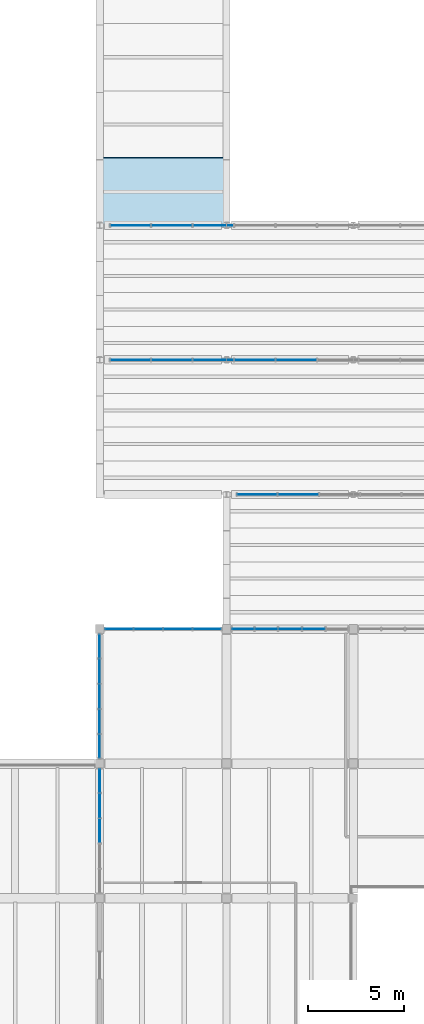
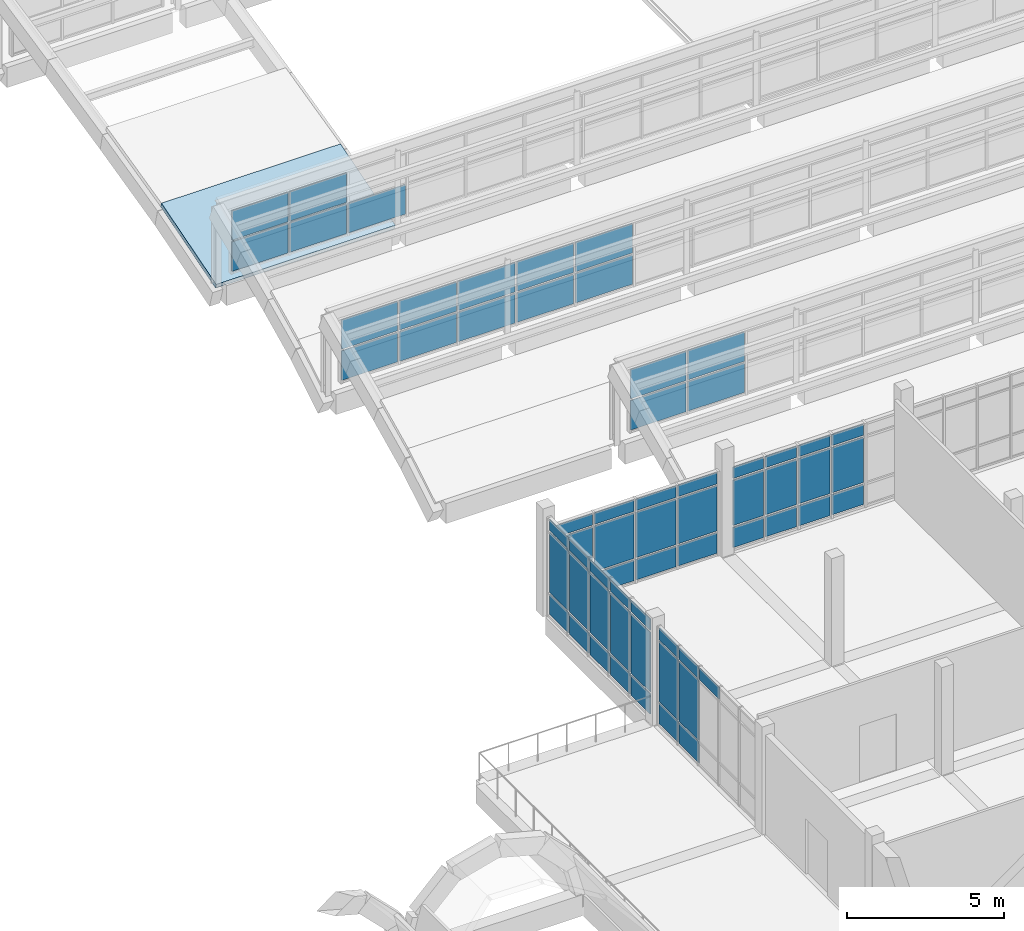
# One storey, part 65 of 92: 65 plates, 1 slab, 8 elements without a shape of their own.
"""IFC4 building model written with IfcOpenShell, lengths in metres."""

from ifc_helpers import new_model, si_unit, direction, frame, origin, origin_2d, place, context, subcontext, project, spatial, polyline, rectangle, outline, extrude, material, layer, layer_set, type_object, element, aggregate, save


model = new_model("IFC4")

# Units and contexts
model_context = context("Model", 3, precision=1e-05, world=origin(), true_north=direction((0.0, 1.0)))
body_context = subcontext(model_context, "Body", "Model", "MODEL_VIEW")
ifc_project = project(units=[si_unit("LENGTHUNIT", "METRE"), si_unit("AREAUNIT", "SQUARE_METRE"), si_unit("VOLUMEUNIT", "CUBIC_METRE"), si_unit("PLANEANGLEUNIT", "RADIAN"), si_unit("MASSUNIT", "GRAM", prefix="KILO")], contexts=[model_context])

# Site, building, storey
site_placement = place(None, origin())
site = spatial("IfcSite", under=ifc_project, at=site_placement, CompositionType="ELEMENT")
building_placement = place(site_placement, origin())
building = spatial("IfcBuilding", under=site, at=building_placement, Name="Ciguamira Faculty of Natural Sciences", CompositionType="ELEMENT")
storey_placement = place(building_placement, frame((0.0, 0.0, 16.800048828125)))
storey = spatial("IfcBuildingStorey", under=building, at=storey_placement, Name="L04", CompositionType="ELEMENT", Elevation=16.800048828125)

# Curtain wall, plates
ifc_material_1 = material(Name="Anodized aluminium curtain wall", Category="aluminium")
curtain_wall_type_1 = type_object("IfcCurtainWallType", Name="CurtainWall_CW-05", PredefinedType="USERDEFINED", material=ifc_material_1)
curtain_wall_1_placement = place(storey_placement, origin())
curtain_wall_1 = element("IfcCurtainWall", 1, at=curtain_wall_1_placement, inside=storey, type_object=curtain_wall_type_1, Name="L04 unitised curtain wall 0113", ObjectType="UNITISED CURTAIN WALL", PredefinedType="USERDEFINED")
ifc_material_2 = material(Name="Low-E laminated solar glass", Category="glass")
ifc_layer_1 = layer(ifc_material_2, 0.028076171875, Name="Low-E laminated solar glass")
ifc_layer_set_1 = layer_set([ifc_layer_1], Name="Low-E laminated solar glass")
plate_type_1 = type_object("IfcPlateType", Name="CWPanel_CWP-01", PredefinedType="CURTAIN_PANEL", material=ifc_layer_set_1)
plate_1_placement = place(storey_placement, frame((58.311279296875, 38.0, 0.070068359375), z_axis=(0.0, 0.0, 1.0), x_axis=(1.0, 0.0, 0.0)))
plate_1 = element("IfcPlate", 2, at=plate_1_placement, type_object=plate_type_1, Name="CW-05 panel 1.1", PredefinedType="CURTAIN_PANEL", context=body_context, shape_type="SweptSolid", body=[
    extrude(rectangle(XDim=1.4326171875, YDim=0.028076171875, at=origin_2d()), origin(), (0.0, 0.0, 1.0), 0.794921875),
])
plate_2_placement = place(storey_placement, frame((58.311279296875, 38.0, 0.93505859375), z_axis=(0.0, 0.0, 1.0), x_axis=(1.0, 0.0, 0.0)))
plate_2 = element("IfcPlate", 3, at=plate_2_placement, type_object=plate_type_1, Name="CW-05 panel 1.2", PredefinedType="CURTAIN_PANEL", context=body_context, shape_type="SweptSolid", body=[
    extrude(rectangle(XDim=1.4326171875, YDim=0.028076171875, at=origin_2d()), origin(), (0.0, 0.0, 1.0), 1.764892578125),
])
plate_3_placement = place(storey_placement, frame((58.311279296875, 38.0, 2.77001953125), z_axis=(0.0, 0.0, 1.0), x_axis=(1.0, 0.0, 0.0)))
plate_3 = element("IfcPlate", 4, at=plate_3_placement, type_object=plate_type_1, Name="CW-05 panel 1.3", PredefinedType="CURTAIN_PANEL", context=body_context, shape_type="SweptSolid", body=[
    extrude(rectangle(XDim=1.4326171875, YDim=0.028076171875, at=origin_2d()), origin(), (0.0, 0.0, 1.0), 0.445068359375),
])
plate_4_placement = place(storey_placement, frame((59.831298828125, 38.0, 0.070068359375), z_axis=(0.0, 0.0, 1.0), x_axis=(1.0, 0.0, 0.0)))
plate_4 = element("IfcPlate", 5, at=plate_4_placement, type_object=plate_type_1, Name="CW-05 panel 2.1", PredefinedType="CURTAIN_PANEL", context=body_context, shape_type="SweptSolid", body=[
    extrude(rectangle(XDim=1.467529296875, YDim=0.028076171875, at=origin_2d()), origin(), (0.0, 0.0, 1.0), 0.794921875),
])
plate_5_placement = place(storey_placement, frame((59.831298828125, 38.0, 0.93505859375), z_axis=(0.0, 0.0, 1.0), x_axis=(1.0, 0.0, 0.0)))
plate_5 = element("IfcPlate", 6, at=plate_5_placement, type_object=plate_type_1, Name="CW-05 panel 2.2", PredefinedType="CURTAIN_PANEL", context=body_context, shape_type="SweptSolid", body=[
    extrude(rectangle(XDim=1.467529296875, YDim=0.028076171875, at=origin_2d()), origin(), (0.0, 0.0, 1.0), 1.764892578125),
])
plate_6_placement = place(storey_placement, frame((59.831298828125, 38.0, 2.77001953125), z_axis=(0.0, 0.0, 1.0), x_axis=(1.0, 0.0, 0.0)))
plate_6 = element("IfcPlate", 7, at=plate_6_placement, type_object=plate_type_1, Name="CW-05 panel 2.3", PredefinedType="CURTAIN_PANEL", context=body_context, shape_type="SweptSolid", body=[
    extrude(rectangle(XDim=1.467529296875, YDim=0.028076171875, at=origin_2d()), origin(), (0.0, 0.0, 1.0), 0.445068359375),
])
plate_7_placement = place(storey_placement, frame((61.36865234375, 38.0, 0.070068359375), z_axis=(0.0, 0.0, 1.0), x_axis=(1.0, 0.0, 0.0)))
plate_7 = element("IfcPlate", 8, at=plate_7_placement, type_object=plate_type_1, Name="CW-05 panel 3.1", PredefinedType="CURTAIN_PANEL", context=body_context, shape_type="SweptSolid", body=[
    extrude(rectangle(XDim=1.467529296875, YDim=0.028076171875, at=origin_2d()), origin(), (0.0, 0.0, 1.0), 0.794921875),
])
plate_8_placement = place(storey_placement, frame((61.36865234375, 38.0, 0.93505859375), z_axis=(0.0, 0.0, 1.0), x_axis=(1.0, 0.0, 0.0)))
plate_8 = element("IfcPlate", 9, at=plate_8_placement, type_object=plate_type_1, Name="CW-05 panel 3.2", PredefinedType="CURTAIN_PANEL", context=body_context, shape_type="SweptSolid", body=[
    extrude(rectangle(XDim=1.467529296875, YDim=0.028076171875, at=origin_2d()), origin(), (0.0, 0.0, 1.0), 1.764892578125),
])
plate_9_placement = place(storey_placement, frame((61.36865234375, 38.0, 2.77001953125), z_axis=(0.0, 0.0, 1.0), x_axis=(1.0, 0.0, 0.0)))
plate_9 = element("IfcPlate", 10, at=plate_9_placement, type_object=plate_type_1, Name="CW-05 panel 3.3", PredefinedType="CURTAIN_PANEL", context=body_context, shape_type="SweptSolid", body=[
    extrude(rectangle(XDim=1.467529296875, YDim=0.028076171875, at=origin_2d()), origin(), (0.0, 0.0, 1.0), 0.445068359375),
])
plate_10_placement = place(storey_placement, frame((62.888671875, 38.0, 0.070068359375), z_axis=(0.0, 0.0, 1.0), x_axis=(1.0, 0.0, 0.0)))
plate_10 = element("IfcPlate", 11, at=plate_10_placement, type_object=plate_type_1, Name="CW-05 panel 4.1", PredefinedType="CURTAIN_PANEL", context=body_context, shape_type="SweptSolid", body=[
    extrude(rectangle(XDim=1.4326171875, YDim=0.028076171875, at=origin_2d()), origin(), (0.0, 0.0, 1.0), 0.794921875),
])
plate_11_placement = place(storey_placement, frame((62.888671875, 38.0, 0.93505859375), z_axis=(0.0, 0.0, 1.0), x_axis=(1.0, 0.0, 0.0)))
plate_11 = element("IfcPlate", 12, at=plate_11_placement, type_object=plate_type_1, Name="CW-05 panel 4.2", PredefinedType="CURTAIN_PANEL", context=body_context, shape_type="SweptSolid", body=[
    extrude(rectangle(XDim=1.4326171875, YDim=0.028076171875, at=origin_2d()), origin(), (0.0, 0.0, 1.0), 1.764892578125),
])
plate_12_placement = place(storey_placement, frame((62.888671875, 38.0, 2.77001953125), z_axis=(0.0, 0.0, 1.0), x_axis=(1.0, 0.0, 0.0)))
plate_12 = element("IfcPlate", 13, at=plate_12_placement, type_object=plate_type_1, Name="CW-05 panel 4.3", PredefinedType="CURTAIN_PANEL", context=body_context, shape_type="SweptSolid", body=[
    extrude(rectangle(XDim=1.4326171875, YDim=0.028076171875, at=origin_2d()), origin(), (0.0, 0.0, 1.0), 0.445068359375),
])
aggregate(curtain_wall_1, [plate_1, plate_2, plate_3, plate_4, plate_5, plate_6, plate_7, plate_8, plate_9, plate_10, plate_11, plate_12])

curtain_wall_type_2 = type_object("IfcCurtainWallType", Name="CurtainWall_CW-11", PredefinedType="USERDEFINED", material=ifc_material_1)
curtain_wall_2_placement = place(storey_placement, origin())
curtain_wall_2 = element("IfcCurtainWall", 14, at=curtain_wall_2_placement, inside=storey, type_object=curtain_wall_type_2, Name="L04 unitised curtain wall 0131", ObjectType="UNITISED CURTAIN WALL", PredefinedType="USERDEFINED")
plate_13_placement = place(storey_placement, frame((57.300048828125, 31.8974609375, 0.070068359375), z_axis=(0.0, 0.0, 1.0), x_axis=(0.0, 1.0, 0.0)))
plate_13 = element("IfcPlate", 15, at=plate_13_placement, type_object=plate_type_1, Name="CW-11 panel 1.1", PredefinedType="CURTAIN_PANEL", context=body_context, shape_type="SweptSolid", body=[
    extrude(rectangle(XDim=1.205078125, YDim=0.028076171875, at=origin_2d()), origin(), (0.0, 0.0, 1.0), 0.794921875),
])
plate_14_placement = place(storey_placement, frame((57.300048828125, 31.8974609375, 0.934814453125), z_axis=(0.0, 0.0, 1.0), x_axis=(0.0, 1.0, 0.0)))
plate_14 = element("IfcPlate", 16, at=plate_14_placement, type_object=plate_type_1, Name="CW-11 panel 1.2", PredefinedType="CURTAIN_PANEL", context=body_context, shape_type="SweptSolid", body=[
    extrude(rectangle(XDim=1.205078125, YDim=0.028076171875, at=origin_2d()), origin(), (0.0, 0.0, 1.0), 2.330078125),
])
plate_15_placement = place(storey_placement, frame((57.300048828125, 31.8974609375, 3.3349609375), z_axis=(0.0, 0.0, 1.0), x_axis=(0.0, 1.0, 0.0)))
plate_15 = element("IfcPlate", 17, at=plate_15_placement, type_object=plate_type_1, Name="CW-11 panel 1.3", PredefinedType="CURTAIN_PANEL", context=body_context, shape_type="SweptSolid", body=[
    extrude(rectangle(XDim=1.205078125, YDim=0.028076171875, at=origin_2d()), origin(), (0.0, 0.0, 1.0), 0.445068359375),
])
plate_16_placement = place(storey_placement, frame((57.300048828125, 33.18994140625, 0.070068359375), z_axis=(0.0, 0.0, 1.0), x_axis=(0.0, 1.0, 0.0)))
plate_16 = element("IfcPlate", 18, at=plate_16_placement, type_object=plate_type_1, Name="CW-11 panel 2.1", PredefinedType="CURTAIN_PANEL", context=body_context, shape_type="SweptSolid", body=[
    extrude(rectangle(XDim=1.239990234375, YDim=0.028076171875, at=origin_2d()), origin(), (0.0, 0.0, 1.0), 0.794921875),
])
plate_17_placement = place(storey_placement, frame((57.300048828125, 33.18994140625, 0.934814453125), z_axis=(0.0, 0.0, 1.0), x_axis=(0.0, 1.0, 0.0)))
plate_17 = element("IfcPlate", 19, at=plate_17_placement, type_object=plate_type_1, Name="CW-11 panel 2.2", PredefinedType="CURTAIN_PANEL", context=body_context, shape_type="SweptSolid", body=[
    extrude(rectangle(XDim=1.239990234375, YDim=0.028076171875, at=origin_2d()), origin(), (0.0, 0.0, 1.0), 2.330078125),
])
plate_18_placement = place(storey_placement, frame((57.300048828125, 33.18994140625, 3.3349609375), z_axis=(0.0, 0.0, 1.0), x_axis=(0.0, 1.0, 0.0)))
plate_18 = element("IfcPlate", 20, at=plate_18_placement, type_object=plate_type_1, Name="CW-11 panel 2.3", PredefinedType="CURTAIN_PANEL", context=body_context, shape_type="SweptSolid", body=[
    extrude(rectangle(XDim=1.239990234375, YDim=0.028076171875, at=origin_2d()), origin(), (0.0, 0.0, 1.0), 0.445068359375),
])
plate_19_placement = place(storey_placement, frame((57.300048828125, 34.5, 0.070068359375), z_axis=(0.0, 0.0, 1.0), x_axis=(0.0, 1.0, 0.0)))
plate_19 = element("IfcPlate", 21, at=plate_19_placement, type_object=plate_type_1, Name="CW-11 panel 3.1", PredefinedType="CURTAIN_PANEL", context=body_context, shape_type="SweptSolid", body=[
    extrude(rectangle(XDim=1.239990234375, YDim=0.028076171875, at=origin_2d()), origin(), (0.0, 0.0, 1.0), 0.794921875),
])
plate_20_placement = place(storey_placement, frame((57.300048828125, 34.5, 0.934814453125), z_axis=(0.0, 0.0, 1.0), x_axis=(0.0, 1.0, 0.0)))
plate_20 = element("IfcPlate", 22, at=plate_20_placement, type_object=plate_type_1, Name="CW-11 panel 3.2", PredefinedType="CURTAIN_PANEL", context=body_context, shape_type="SweptSolid", body=[
    extrude(rectangle(XDim=1.239990234375, YDim=0.028076171875, at=origin_2d()), origin(), (0.0, 0.0, 1.0), 2.330078125),
])
plate_21_placement = place(storey_placement, frame((57.300048828125, 34.5, 3.3349609375), z_axis=(0.0, 0.0, 1.0), x_axis=(0.0, 1.0, 0.0)))
plate_21 = element("IfcPlate", 23, at=plate_21_placement, type_object=plate_type_1, Name="CW-11 panel 3.3", PredefinedType="CURTAIN_PANEL", context=body_context, shape_type="SweptSolid", body=[
    extrude(rectangle(XDim=1.239990234375, YDim=0.028076171875, at=origin_2d()), origin(), (0.0, 0.0, 1.0), 0.445068359375),
])
plate_22_placement = place(storey_placement, frame((57.300048828125, 35.81005859375, 0.070068359375), z_axis=(0.0, 0.0, 1.0), x_axis=(0.0, 1.0, 0.0)))
plate_22 = element("IfcPlate", 24, at=plate_22_placement, type_object=plate_type_1, Name="CW-11 panel 4.1", PredefinedType="CURTAIN_PANEL", context=body_context, shape_type="SweptSolid", body=[
    extrude(rectangle(XDim=1.239990234375, YDim=0.028076171875, at=origin_2d()), origin(), (0.0, 0.0, 1.0), 0.794921875),
])
plate_23_placement = place(storey_placement, frame((57.300048828125, 35.81005859375, 0.934814453125), z_axis=(0.0, 0.0, 1.0), x_axis=(0.0, 1.0, 0.0)))
plate_23 = element("IfcPlate", 25, at=plate_23_placement, type_object=plate_type_1, Name="CW-11 panel 4.2", PredefinedType="CURTAIN_PANEL", context=body_context, shape_type="SweptSolid", body=[
    extrude(rectangle(XDim=1.239990234375, YDim=0.028076171875, at=origin_2d()), origin(), (0.0, 0.0, 1.0), 2.330078125),
])
plate_24_placement = place(storey_placement, frame((57.300048828125, 35.81005859375, 3.3349609375), z_axis=(0.0, 0.0, 1.0), x_axis=(0.0, 1.0, 0.0)))
plate_24 = element("IfcPlate", 26, at=plate_24_placement, type_object=plate_type_1, Name="CW-11 panel 4.3", PredefinedType="CURTAIN_PANEL", context=body_context, shape_type="SweptSolid", body=[
    extrude(rectangle(XDim=1.239990234375, YDim=0.028076171875, at=origin_2d()), origin(), (0.0, 0.0, 1.0), 0.445068359375),
])
plate_25_placement = place(storey_placement, frame((57.300048828125, 37.1025390625, 0.070068359375), z_axis=(0.0, 0.0, 1.0), x_axis=(0.0, 1.0, 0.0)))
plate_25 = element("IfcPlate", 27, at=plate_25_placement, type_object=plate_type_1, Name="CW-11 panel 5.1", PredefinedType="CURTAIN_PANEL", context=body_context, shape_type="SweptSolid", body=[
    extrude(rectangle(XDim=1.205078125, YDim=0.028076171875, at=origin_2d()), origin(), (0.0, 0.0, 1.0), 0.794921875),
])
plate_26_placement = place(storey_placement, frame((57.300048828125, 37.1025390625, 0.934814453125), z_axis=(0.0, 0.0, 1.0), x_axis=(0.0, 1.0, 0.0)))
plate_26 = element("IfcPlate", 28, at=plate_26_placement, type_object=plate_type_1, Name="CW-11 panel 5.2", PredefinedType="CURTAIN_PANEL", context=body_context, shape_type="SweptSolid", body=[
    extrude(rectangle(XDim=1.205078125, YDim=0.028076171875, at=origin_2d()), origin(), (0.0, 0.0, 1.0), 2.330078125),
])
plate_27_placement = place(storey_placement, frame((57.300048828125, 37.1025390625, 3.3349609375), z_axis=(0.0, 0.0, 1.0), x_axis=(0.0, 1.0, 0.0)))
plate_27 = element("IfcPlate", 29, at=plate_27_placement, type_object=plate_type_1, Name="CW-11 panel 5.3", PredefinedType="CURTAIN_PANEL", context=body_context, shape_type="SweptSolid", body=[
    extrude(rectangle(XDim=1.205078125, YDim=0.028076171875, at=origin_2d()), origin(), (0.0, 0.0, 1.0), 0.445068359375),
])
aggregate(curtain_wall_2, [plate_13, plate_14, plate_15, plate_16, plate_17, plate_18, plate_19, plate_20, plate_21, plate_22, plate_23, plate_24, plate_25, plate_26, plate_27])

curtain_wall_type_3 = type_object("IfcCurtainWallType", Name="CurtainWall_CW-06", PredefinedType="USERDEFINED", material=ifc_material_1)
curtain_wall_3_placement = place(storey_placement, origin())
curtain_wall_3 = element("IfcCurtainWall", 30, at=curtain_wall_3_placement, inside=storey, type_object=curtain_wall_type_3, Name="L04 unitised curtain wall 0114", ObjectType="UNITISED CURTAIN WALL", PredefinedType="USERDEFINED")
ifc_layer_2 = layer(ifc_material_2, 0.035888671875, Name="Low-E laminated solar glass")
ifc_layer_set_2 = layer_set([ifc_layer_2], Name="Low-E laminated solar glass")
plate_type_2 = type_object("IfcPlateType", Name="CWPanel_CWP-02", PredefinedType="CURTAIN_PANEL", material=ifc_layer_set_2)
plate_28_placement = place(storey_placement, frame((64.760009765625, 38.0, 0.080078125), z_axis=(0.0, 0.0, 1.0), x_axis=(1.0, 0.0, 0.0)))
plate_28 = element("IfcPlate", 31, at=plate_28_placement, type_object=plate_type_2, Name="CW-06 panel 1.1", PredefinedType="CURTAIN_PANEL", context=body_context, shape_type="SweptSolid", body=[
    extrude(rectangle(XDim=1.110107421875, YDim=0.035888671875, at=origin_2d()), origin(), (0.0, 0.0, 1.0), 0.780029296875),
])
plate_29_placement = place(storey_placement, frame((64.760009765625, 38.0, 0.93994140625), z_axis=(0.0, 0.0, 1.0), x_axis=(1.0, 0.0, 0.0)))
plate_29 = element("IfcPlate", 32, at=plate_29_placement, type_object=plate_type_2, Name="CW-06 panel 1.2", PredefinedType="CURTAIN_PANEL", context=body_context, shape_type="SweptSolid", body=[
    extrude(rectangle(XDim=1.110107421875, YDim=0.035888671875, at=origin_2d()), origin(), (0.0, 0.0, 1.0), 1.7548828125),
])
plate_30_placement = place(storey_placement, frame((64.760009765625, 38.0, 2.77490234375), z_axis=(0.0, 0.0, 1.0), x_axis=(1.0, 0.0, 0.0)))
plate_30 = element("IfcPlate", 33, at=plate_30_placement, type_object=plate_type_2, Name="CW-06 panel 1.3", PredefinedType="CURTAIN_PANEL", context=body_context, shape_type="SweptSolid", body=[
    extrude(rectangle(XDim=1.110107421875, YDim=0.035888671875, at=origin_2d()), origin(), (0.0, 0.0, 1.0), 0.429931640625),
])
plate_31_placement = place(storey_placement, frame((65.969970703125, 38.0, 0.080078125), z_axis=(0.0, 0.0, 1.0), x_axis=(1.0, 0.0, 0.0)))
plate_31 = element("IfcPlate", 34, at=plate_31_placement, type_object=plate_type_2, Name="CW-06 panel 2.1", PredefinedType="CURTAIN_PANEL", context=body_context, shape_type="SweptSolid", body=[
    extrude(rectangle(XDim=1.14990234375, YDim=0.035888671875, at=origin_2d()), origin(), (0.0, 0.0, 1.0), 0.780029296875),
])
plate_32_placement = place(storey_placement, frame((65.969970703125, 38.0, 0.93994140625), z_axis=(0.0, 0.0, 1.0), x_axis=(1.0, 0.0, 0.0)))
plate_32 = element("IfcPlate", 35, at=plate_32_placement, type_object=plate_type_2, Name="CW-06 panel 2.2", PredefinedType="CURTAIN_PANEL", context=body_context, shape_type="SweptSolid", body=[
    extrude(rectangle(XDim=1.14990234375, YDim=0.035888671875, at=origin_2d()), origin(), (0.0, 0.0, 1.0), 1.7548828125),
])
plate_33_placement = place(storey_placement, frame((65.969970703125, 38.0, 2.77490234375), z_axis=(0.0, 0.0, 1.0), x_axis=(1.0, 0.0, 0.0)))
plate_33 = element("IfcPlate", 36, at=plate_33_placement, type_object=plate_type_2, Name="CW-06 panel 2.3", PredefinedType="CURTAIN_PANEL", context=body_context, shape_type="SweptSolid", body=[
    extrude(rectangle(XDim=1.14990234375, YDim=0.035888671875, at=origin_2d()), origin(), (0.0, 0.0, 1.0), 0.429931640625),
])
plate_34_placement = place(storey_placement, frame((67.199951171875, 38.0, 0.080078125), z_axis=(0.0, 0.0, 1.0), x_axis=(1.0, 0.0, 0.0)))
plate_34 = element("IfcPlate", 37, at=plate_34_placement, type_object=plate_type_2, Name="CW-06 panel 3.1", PredefinedType="CURTAIN_PANEL", context=body_context, shape_type="SweptSolid", body=[
    extrude(rectangle(XDim=1.14990234375, YDim=0.035888671875, at=origin_2d()), origin(), (0.0, 0.0, 1.0), 0.780029296875),
])
plate_35_placement = place(storey_placement, frame((67.199951171875, 38.0, 0.93994140625), z_axis=(0.0, 0.0, 1.0), x_axis=(1.0, 0.0, 0.0)))
plate_35 = element("IfcPlate", 38, at=plate_35_placement, type_object=plate_type_2, Name="CW-06 panel 3.2", PredefinedType="CURTAIN_PANEL", context=body_context, shape_type="SweptSolid", body=[
    extrude(rectangle(XDim=1.14990234375, YDim=0.035888671875, at=origin_2d()), origin(), (0.0, 0.0, 1.0), 1.7548828125),
])
plate_36_placement = place(storey_placement, frame((67.199951171875, 38.0, 2.77490234375), z_axis=(0.0, 0.0, 1.0), x_axis=(1.0, 0.0, 0.0)))
plate_36 = element("IfcPlate", 39, at=plate_36_placement, type_object=plate_type_2, Name="CW-06 panel 3.3", PredefinedType="CURTAIN_PANEL", context=body_context, shape_type="SweptSolid", body=[
    extrude(rectangle(XDim=1.14990234375, YDim=0.035888671875, at=origin_2d()), origin(), (0.0, 0.0, 1.0), 0.429931640625),
])
plate_37_placement = place(storey_placement, frame((68.429931640625, 38.0, 0.080078125), z_axis=(0.0, 0.0, 1.0), x_axis=(1.0, 0.0, 0.0)))
plate_37 = element("IfcPlate", 40, at=plate_37_placement, type_object=plate_type_2, Name="CW-06 panel 4.1", PredefinedType="CURTAIN_PANEL", context=body_context, shape_type="SweptSolid", body=[
    extrude(rectangle(XDim=1.14990234375, YDim=0.035888671875, at=origin_2d()), origin(), (0.0, 0.0, 1.0), 0.780029296875),
])
plate_38_placement = place(storey_placement, frame((68.429931640625, 38.0, 0.93994140625), z_axis=(0.0, 0.0, 1.0), x_axis=(1.0, 0.0, 0.0)))
plate_38 = element("IfcPlate", 41, at=plate_38_placement, type_object=plate_type_2, Name="CW-06 panel 4.2", PredefinedType="CURTAIN_PANEL", context=body_context, shape_type="SweptSolid", body=[
    extrude(rectangle(XDim=1.14990234375, YDim=0.035888671875, at=origin_2d()), origin(), (0.0, 0.0, 1.0), 1.7548828125),
])
plate_39_placement = place(storey_placement, frame((68.429931640625, 38.0, 2.77490234375), z_axis=(0.0, 0.0, 1.0), x_axis=(1.0, 0.0, 0.0)))
plate_39 = element("IfcPlate", 42, at=plate_39_placement, type_object=plate_type_2, Name="CW-06 panel 4.3", PredefinedType="CURTAIN_PANEL", context=body_context, shape_type="SweptSolid", body=[
    extrude(rectangle(XDim=1.14990234375, YDim=0.035888671875, at=origin_2d()), origin(), (0.0, 0.0, 1.0), 0.429931640625),
])
aggregate(curtain_wall_3, [plate_28, plate_29, plate_30, plate_31, plate_32, plate_33, plate_34, plate_35, plate_36, plate_37, plate_38, plate_39])

curtain_wall_type_4 = type_object("IfcCurtainWallType", Name="CurtainWall_CW-10", PredefinedType="USERDEFINED", material=ifc_material_1)
curtain_wall_4_placement = place(storey_placement, origin())
curtain_wall_4 = element("IfcCurtainWall", 43, at=curtain_wall_4_placement, inside=storey, type_object=curtain_wall_type_4, Name="L04 unitised curtain wall 0130", ObjectType="UNITISED CURTAIN WALL", PredefinedType="USERDEFINED")
plate_40_placement = place(storey_placement, frame((57.300048828125, 27.5, 3.330078125), z_axis=(0.0, 0.0, 1.0), x_axis=(0.0, 1.0, 0.0)))
plate_40 = element("IfcPlate", 44, at=plate_40_placement, type_object=plate_type_2, Name="CW-10 panel 3.3", PredefinedType="CURTAIN_PANEL", context=body_context, shape_type="SweptSolid", body=[
    extrude(rectangle(XDim=1.25, YDim=0.035888671875, at=origin_2d()), origin(), (0.0, 0.0, 1.0), 0.4599609375),
])
plate_41_placement = place(storey_placement, frame((57.300048828125, 28.81005859375, 0.059814453125), z_axis=(0.0, 0.0, 1.0), x_axis=(0.0, 1.0, 0.0)))
plate_41 = element("IfcPlate", 45, at=plate_41_placement, type_object=plate_type_2, Name="CW-10 panel 4.1", PredefinedType="CURTAIN_PANEL", context=body_context, shape_type="SweptSolid", body=[
    extrude(rectangle(XDim=1.25, YDim=0.035888671875, at=origin_2d()), origin(), (0.0, 0.0, 1.0), 0.81005859375),
])
plate_42_placement = place(storey_placement, frame((57.300048828125, 28.81005859375, 0.9296875), z_axis=(0.0, 0.0, 1.0), x_axis=(0.0, 1.0, 0.0)))
plate_42 = element("IfcPlate", 46, at=plate_42_placement, type_object=plate_type_2, Name="CW-10 panel 4.2", PredefinedType="CURTAIN_PANEL", context=body_context, shape_type="SweptSolid", body=[
    extrude(rectangle(XDim=1.25, YDim=0.035888671875, at=origin_2d()), origin(), (0.0, 0.0, 1.0), 2.340087890625),
])
plate_43_placement = place(storey_placement, frame((57.300048828125, 28.81005859375, 3.330078125), z_axis=(0.0, 0.0, 1.0), x_axis=(0.0, 1.0, 0.0)))
plate_43 = element("IfcPlate", 47, at=plate_43_placement, type_object=plate_type_2, Name="CW-10 panel 4.3", PredefinedType="CURTAIN_PANEL", context=body_context, shape_type="SweptSolid", body=[
    extrude(rectangle(XDim=1.25, YDim=0.035888671875, at=origin_2d()), origin(), (0.0, 0.0, 1.0), 0.4599609375),
])
plate_44_placement = place(storey_placement, frame((57.300048828125, 30.10498046875, 0.059814453125), z_axis=(0.0, 0.0, 1.0), x_axis=(0.0, 1.0, 0.0)))
plate_44 = element("IfcPlate", 48, at=plate_44_placement, type_object=plate_type_2, Name="CW-10 panel 5.1", PredefinedType="CURTAIN_PANEL", context=body_context, shape_type="SweptSolid", body=[
    extrude(rectangle(XDim=1.219970703125, YDim=0.035888671875, at=origin_2d()), origin(), (0.0, 0.0, 1.0), 0.81005859375),
])
plate_45_placement = place(storey_placement, frame((57.300048828125, 30.10498046875, 0.9296875), z_axis=(0.0, 0.0, 1.0), x_axis=(0.0, 1.0, 0.0)))
plate_45 = element("IfcPlate", 49, at=plate_45_placement, type_object=plate_type_2, Name="CW-10 panel 5.2", PredefinedType="CURTAIN_PANEL", context=body_context, shape_type="SweptSolid", body=[
    extrude(rectangle(XDim=1.219970703125, YDim=0.035888671875, at=origin_2d()), origin(), (0.0, 0.0, 1.0), 2.340087890625),
])
plate_46_placement = place(storey_placement, frame((57.300048828125, 30.10498046875, 3.330078125), z_axis=(0.0, 0.0, 1.0), x_axis=(0.0, 1.0, 0.0)))
plate_46 = element("IfcPlate", 50, at=plate_46_placement, type_object=plate_type_2, Name="CW-10 panel 5.3", PredefinedType="CURTAIN_PANEL", context=body_context, shape_type="SweptSolid", body=[
    extrude(rectangle(XDim=1.219970703125, YDim=0.035888671875, at=origin_2d()), origin(), (0.0, 0.0, 1.0), 0.4599609375),
])
aggregate(curtain_wall_4, [plate_40, plate_41, plate_42, plate_43, plate_44, plate_45, plate_46])

curtain_wall_type_5 = type_object("IfcCurtainWallType", Name="CurtainWall_CW-02", PredefinedType="USERDEFINED", material=ifc_material_1)
curtain_wall_5_placement = place(storey_placement, origin())
curtain_wall_5 = element("IfcCurtainWall", 51, at=curtain_wall_5_placement, inside=storey, type_object=curtain_wall_type_5, Name="V4 north-light wave 1 clerestory glazing 1", ObjectType="UNITISED CURTAIN WALL", PredefinedType="USERDEFINED")
plate_47_placement = place(storey_placement, frame((65.49365234375, 45.0, 0.31982421875), z_axis=(0.0, 0.0, 1.0), x_axis=(1.0, 0.0, 0.0)))
plate_47 = element("IfcPlate", 52, at=plate_47_placement, type_object=plate_type_2, Name="CW-02 panel 1.1", PredefinedType="CURTAIN_PANEL", context=body_context, shape_type="SweptSolid", body=[
    extrude(rectangle(XDim=2.04736328125, YDim=0.035888671875, at=origin_2d()), origin(), (0.0, 0.0, 1.0), 1.14501953125),
])
plate_48_placement = place(storey_placement, frame((65.49365234375, 45.0, 1.534912109375), z_axis=(0.0, 0.0, 1.0), x_axis=(1.0, 0.0, 0.0)))
plate_48 = element("IfcPlate", 53, at=plate_48_placement, type_object=plate_type_2, Name="CW-02 panel 1.2", PredefinedType="CURTAIN_PANEL", context=body_context, shape_type="SweptSolid", body=[
    extrude(rectangle(XDim=2.04736328125, YDim=0.035888671875, at=origin_2d()), origin(), (0.0, 0.0, 1.0), 1.14501953125),
])
plate_49_placement = place(storey_placement, frame((67.628662109375, 45.0, 0.31982421875), z_axis=(0.0, 0.0, 1.0), x_axis=(1.0, 0.0, 0.0)))
plate_49 = element("IfcPlate", 54, at=plate_49_placement, type_object=plate_type_2, Name="CW-02 panel 2.1", PredefinedType="CURTAIN_PANEL", context=body_context, shape_type="SweptSolid", body=[
    extrude(rectangle(XDim=2.082275390625, YDim=0.035888671875, at=origin_2d()), origin(), (0.0, 0.0, 1.0), 1.14501953125),
])
plate_50_placement = place(storey_placement, frame((67.628662109375, 45.0, 1.534912109375), z_axis=(0.0, 0.0, 1.0), x_axis=(1.0, 0.0, 0.0)))
plate_50 = element("IfcPlate", 55, at=plate_50_placement, type_object=plate_type_2, Name="CW-02 panel 2.2", PredefinedType="CURTAIN_PANEL", context=body_context, shape_type="SweptSolid", body=[
    extrude(rectangle(XDim=2.082275390625, YDim=0.035888671875, at=origin_2d()), origin(), (0.0, 0.0, 1.0), 1.14501953125),
])
aggregate(curtain_wall_5, [plate_47, plate_48, plate_49, plate_50])

curtain_wall_type_6 = type_object("IfcCurtainWallType", Name="CurtainWall_CW-03", PredefinedType="USERDEFINED", material=ifc_material_1)
curtain_wall_6_placement = place(storey_placement, origin())
curtain_wall_6 = element("IfcCurtainWall", 56, at=curtain_wall_6_placement, inside=storey, type_object=curtain_wall_type_6, Name="V4 north-light wave 2 clerestory glazing 1", ObjectType="UNITISED CURTAIN WALL", PredefinedType="USERDEFINED")
plate_51_placement = place(storey_placement, frame((58.89892578125, 52.0, 0.31982421875), z_axis=(0.0, 0.0, 1.0), x_axis=(1.0, 0.0, 0.0)))
plate_51 = element("IfcPlate", 57, at=plate_51_placement, type_object=plate_type_2, Name="CW-03 panel 1.1", PredefinedType="CURTAIN_PANEL", context=body_context, shape_type="SweptSolid", body=[
    extrude(rectangle(XDim=2.057861328125, YDim=0.035888671875, at=origin_2d()), origin(), (0.0, 0.0, 1.0), 1.14501953125),
])
plate_52_placement = place(storey_placement, frame((58.89892578125, 52.0, 1.534912109375), z_axis=(0.0, 0.0, 1.0), x_axis=(1.0, 0.0, 0.0)))
plate_52 = element("IfcPlate", 58, at=plate_52_placement, type_object=plate_type_2, Name="CW-03 panel 1.2", PredefinedType="CURTAIN_PANEL", context=body_context, shape_type="SweptSolid", body=[
    extrude(rectangle(XDim=2.057861328125, YDim=0.035888671875, at=origin_2d()), origin(), (0.0, 0.0, 1.0), 1.14501953125),
])
plate_53_placement = place(storey_placement, frame((61.04443359375, 52.0, 0.31982421875), z_axis=(0.0, 0.0, 1.0), x_axis=(1.0, 0.0, 0.0)))
plate_53 = element("IfcPlate", 59, at=plate_53_placement, type_object=plate_type_2, Name="CW-03 panel 2.1", PredefinedType="CURTAIN_PANEL", context=body_context, shape_type="SweptSolid", body=[
    extrude(rectangle(XDim=2.093017578125, YDim=0.035888671875, at=origin_2d()), origin(), (0.0, 0.0, 1.0), 1.14501953125),
])
plate_54_placement = place(storey_placement, frame((61.04443359375, 52.0, 1.534912109375), z_axis=(0.0, 0.0, 1.0), x_axis=(1.0, 0.0, 0.0)))
plate_54 = element("IfcPlate", 60, at=plate_54_placement, type_object=plate_type_2, Name="CW-03 panel 2.2", PredefinedType="CURTAIN_PANEL", context=body_context, shape_type="SweptSolid", body=[
    extrude(rectangle(XDim=2.093017578125, YDim=0.035888671875, at=origin_2d()), origin(), (0.0, 0.0, 1.0), 1.14501953125),
])
plate_55_placement = place(storey_placement, frame((63.20751953125, 52.0, 0.31982421875), z_axis=(0.0, 0.0, 1.0), x_axis=(1.0, 0.0, 0.0)))
plate_55 = element("IfcPlate", 61, at=plate_55_placement, type_object=plate_type_2, Name="CW-03 panel 3.1", PredefinedType="CURTAIN_PANEL", context=body_context, shape_type="SweptSolid", body=[
    extrude(rectangle(XDim=2.093017578125, YDim=0.035888671875, at=origin_2d()), origin(), (0.0, 0.0, 1.0), 1.14501953125),
])
plate_56_placement = place(storey_placement, frame((63.20751953125, 52.0, 1.534912109375), z_axis=(0.0, 0.0, 1.0), x_axis=(1.0, 0.0, 0.0)))
plate_56 = element("IfcPlate", 62, at=plate_56_placement, type_object=plate_type_2, Name="CW-03 panel 3.2", PredefinedType="CURTAIN_PANEL", context=body_context, shape_type="SweptSolid", body=[
    extrude(rectangle(XDim=2.093017578125, YDim=0.035888671875, at=origin_2d()), origin(), (0.0, 0.0, 1.0), 1.14501953125),
])
plate_57_placement = place(storey_placement, frame((65.370361328125, 52.0, 0.31982421875), z_axis=(0.0, 0.0, 1.0), x_axis=(1.0, 0.0, 0.0)))
plate_57 = element("IfcPlate", 63, at=plate_57_placement, type_object=plate_type_2, Name="CW-03 panel 4.1", PredefinedType="CURTAIN_PANEL", context=body_context, shape_type="SweptSolid", body=[
    extrude(rectangle(XDim=2.093017578125, YDim=0.035888671875, at=origin_2d()), origin(), (0.0, 0.0, 1.0), 1.14501953125),
])
plate_58_placement = place(storey_placement, frame((65.370361328125, 52.0, 1.534912109375), z_axis=(0.0, 0.0, 1.0), x_axis=(1.0, 0.0, 0.0)))
plate_58 = element("IfcPlate", 64, at=plate_58_placement, type_object=plate_type_2, Name="CW-03 panel 4.2", PredefinedType="CURTAIN_PANEL", context=body_context, shape_type="SweptSolid", body=[
    extrude(rectangle(XDim=2.093017578125, YDim=0.035888671875, at=origin_2d()), origin(), (0.0, 0.0, 1.0), 1.14501953125),
])
plate_59_placement = place(storey_placement, frame((67.533447265625, 52.0, 0.31982421875), z_axis=(0.0, 0.0, 1.0), x_axis=(1.0, 0.0, 0.0)))
plate_59 = element("IfcPlate", 65, at=plate_59_placement, type_object=plate_type_2, Name="CW-03 panel 5.1", PredefinedType="CURTAIN_PANEL", context=body_context, shape_type="SweptSolid", body=[
    extrude(rectangle(XDim=2.093017578125, YDim=0.035888671875, at=origin_2d()), origin(), (0.0, 0.0, 1.0), 1.14501953125),
])
plate_60_placement = place(storey_placement, frame((67.533447265625, 52.0, 1.534912109375), z_axis=(0.0, 0.0, 1.0), x_axis=(1.0, 0.0, 0.0)))
plate_60 = element("IfcPlate", 66, at=plate_60_placement, type_object=plate_type_2, Name="CW-03 panel 5.2", PredefinedType="CURTAIN_PANEL", context=body_context, shape_type="SweptSolid", body=[
    extrude(rectangle(XDim=2.093017578125, YDim=0.035888671875, at=origin_2d()), origin(), (0.0, 0.0, 1.0), 1.14501953125),
])
aggregate(curtain_wall_6, [plate_51, plate_52, plate_53, plate_54, plate_55, plate_56, plate_57, plate_58, plate_59, plate_60])

curtain_wall_type_7 = type_object("IfcCurtainWallType", Name="CurtainWall_CW-04", PredefinedType="USERDEFINED", material=ifc_material_1)
curtain_wall_7_placement = place(storey_placement, origin())
curtain_wall_7 = element("IfcCurtainWall", 67, at=curtain_wall_7_placement, inside=storey, type_object=curtain_wall_type_7, Name="V4 north-light wave 3 clerestory glazing 1", ObjectType="UNITISED CURTAIN WALL", PredefinedType="USERDEFINED")
plate_61_placement = place(storey_placement, frame((58.89892578125, 59.0, 0.31982421875), z_axis=(0.0, 0.0, 1.0), x_axis=(1.0, 0.0, 0.0)))
plate_61 = element("IfcPlate", 68, at=plate_61_placement, type_object=plate_type_2, Name="CW-04 panel 1.1", PredefinedType="CURTAIN_PANEL", context=body_context, shape_type="SweptSolid", body=[
    extrude(rectangle(XDim=2.057861328125, YDim=0.035888671875, at=origin_2d()), origin(), (0.0, 0.0, 1.0), 1.14501953125),
])
plate_62_placement = place(storey_placement, frame((58.89892578125, 59.0, 1.534912109375), z_axis=(0.0, 0.0, 1.0), x_axis=(1.0, 0.0, 0.0)))
plate_62 = element("IfcPlate", 69, at=plate_62_placement, type_object=plate_type_2, Name="CW-04 panel 1.2", PredefinedType="CURTAIN_PANEL", context=body_context, shape_type="SweptSolid", body=[
    extrude(rectangle(XDim=2.057861328125, YDim=0.035888671875, at=origin_2d()), origin(), (0.0, 0.0, 1.0), 1.14501953125),
])
plate_63_placement = place(storey_placement, frame((61.04443359375, 59.0, 0.31982421875), z_axis=(0.0, 0.0, 1.0), x_axis=(1.0, 0.0, 0.0)))
plate_63 = element("IfcPlate", 70, at=plate_63_placement, type_object=plate_type_2, Name="CW-04 panel 2.1", PredefinedType="CURTAIN_PANEL", context=body_context, shape_type="SweptSolid", body=[
    extrude(rectangle(XDim=2.093017578125, YDim=0.035888671875, at=origin_2d()), origin(), (0.0, 0.0, 1.0), 1.14501953125),
])
plate_64_placement = place(storey_placement, frame((61.04443359375, 59.0, 1.534912109375), z_axis=(0.0, 0.0, 1.0), x_axis=(1.0, 0.0, 0.0)))
plate_64 = element("IfcPlate", 71, at=plate_64_placement, type_object=plate_type_2, Name="CW-04 panel 2.2", PredefinedType="CURTAIN_PANEL", context=body_context, shape_type="SweptSolid", body=[
    extrude(rectangle(XDim=2.093017578125, YDim=0.035888671875, at=origin_2d()), origin(), (0.0, 0.0, 1.0), 1.14501953125),
])
plate_65_placement = place(storey_placement, frame((63.20751953125, 59.0, 0.31982421875), z_axis=(0.0, 0.0, 1.0), x_axis=(1.0, 0.0, 0.0)))
plate_65 = element("IfcPlate", 72, at=plate_65_placement, type_object=plate_type_2, Name="CW-04 panel 3.1", PredefinedType="CURTAIN_PANEL", context=body_context, shape_type="SweptSolid", body=[
    extrude(rectangle(XDim=2.093017578125, YDim=0.035888671875, at=origin_2d()), origin(), (0.0, 0.0, 1.0), 1.14501953125),
])
aggregate(curtain_wall_7, [plate_61, plate_62, plate_63, plate_64, plate_65])

# Roof, slab
ifc_material_3 = material(Name="Concrete C40/50", Category="concrete")
roof_type = type_object("IfcRoofType", Name="RoofSys_RF-WAV", PredefinedType="FREEFORM", material=ifc_material_3)
roof_placement = place(storey_placement, origin())
roof = element("IfcRoof", 73, at=roof_placement, inside=storey, type_object=roof_type, Name="Laboratory Seven Curled Concrete North-Light Wave Shells", PredefinedType="FREEFORM")
ifc_layer_3 = layer(ifc_material_3, 0.179931640625, Name="Concrete C40/50")
ifc_layer_set_3 = layer_set([ifc_layer_3], Name="Concrete C40/50")
slab_type = type_object("IfcSlabType", Name="Slab_SR-01_180", PredefinedType="ROOF", material=ifc_layer_set_3)
slab_placement = place(storey_placement, frame((57.300048828125, 59.0, 0.0), z_axis=(0.0, -0.286440318117, 0.958098086918), x_axis=(1.0, 0.0, 0.0)))
slab = element("IfcSlab", 74, at=slab_placement, type_object=slab_type, Name="V4 north-light breaking-wave 4 shell strip 1", PredefinedType="ROOF", context=body_context, shape_type="SweptSolid", body=[
    extrude(outline(polyline([(0.0, 0.0), (6.599853515625, 0.0), (6.599853515625, 3.6530706488071636), (0.0, 3.6530706488071636), (0.0, 0.0)])), origin(), (0.0, 0.0, -1.0), 0.179931640625),
])
aggregate(roof, [slab])

save(model, "model.ifc")
